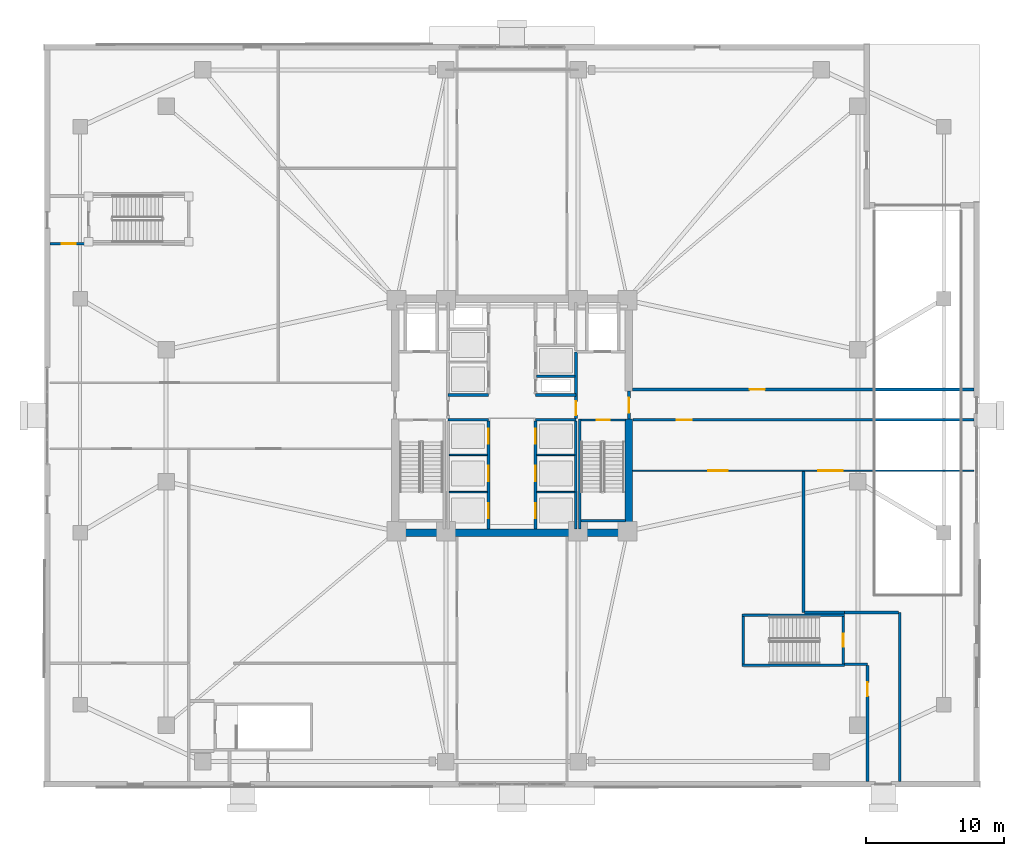
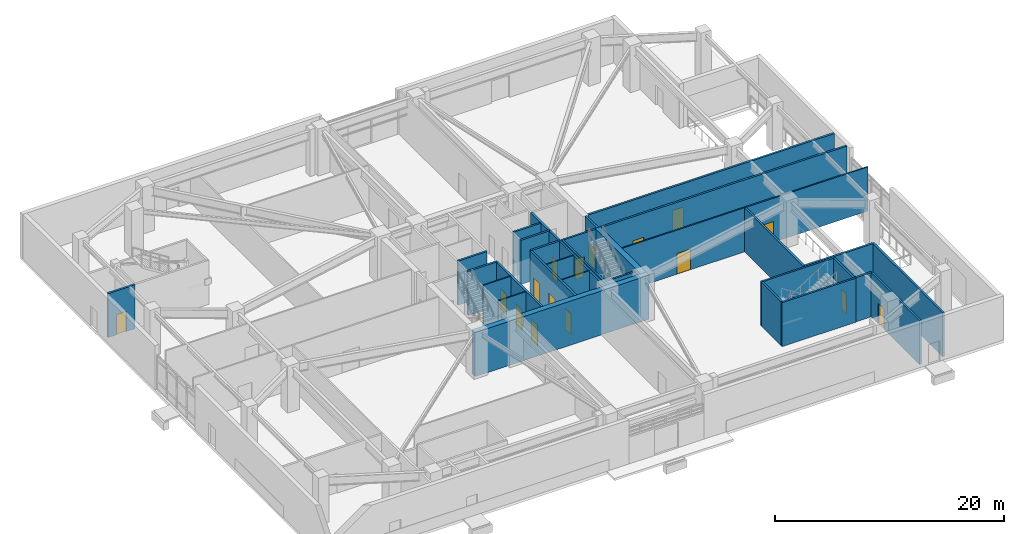
# One storey, part 10 of 21: 33 walls, 16 doors, 16 openings.
"""IFC4 building model written with IfcOpenShell, lengths in metres."""

from ifc_helpers import new_model, si_unit, direction, frame, frame_2d, origin, place, context, subcontext, project, spatial, rectangle, extrude, material, layer, layer_set, type_object, element, fill, save


model = new_model("IFC4")

# Units and contexts
model_context = context("Model", 3, precision=1e-05, world=origin(), true_north=direction((0.0, 1.0)))
body_context = subcontext(model_context, "Body", "Model", "MODEL_VIEW")
ifc_project = project(units=[si_unit("LENGTHUNIT", "METRE"), si_unit("AREAUNIT", "SQUARE_METRE"), si_unit("VOLUMEUNIT", "CUBIC_METRE"), si_unit("PLANEANGLEUNIT", "RADIAN"), si_unit("MASSUNIT", "GRAM", prefix="KILO")], contexts=[model_context])

# Site, building, storey
site_placement = place(None, origin())
site = spatial("IfcSite", under=ifc_project, at=site_placement, CompositionType="ELEMENT")
building_placement = place(site_placement, origin())
building = spatial("IfcBuilding", under=site, at=building_placement, Name="Cairnveth Concourse Tower", CompositionType="ELEMENT")
storey_placement = place(building_placement, origin())
storey = spatial("IfcBuildingStorey", under=building, at=storey_placement, Name="L00", CompositionType="ELEMENT", Elevation=0.0)

# Walls
ifc_material_1 = material(Name="Concrete N80 (80 MPa)", Category="concrete")
ifc_layer_1 = layer(ifc_material_1, 0.550048828125)
ifc_layer_set_1 = layer_set([ifc_layer_1], Name="Concrete N80 (80 MPa)")
wall_type_1 = type_object("IfcWallType", Name="CORE SHEAR WALL 550", PredefinedType="SHEAR", material=ifc_layer_set_1)
wall_1_placement = place(storey_placement, frame((43.22509765625, 30.5, 0.0), z_axis=(0.0, 0.0, 1.0), x_axis=(1.0, 0.0, 0.0)))
element("IfcWall", 1, at=wall_1_placement, inside=storey, type_object=wall_type_1, Name="Core South Shear Wall L00", PredefinedType="SHEAR", context=body_context, shape_type="SweptSolid", body=[
    extrude(rectangle(XDim=17.5498046875, YDim=0.550048828125, at=frame_2d((8.77490234375, 0.0))), origin(), (0.0, 0.0, 1.0), 4.699951171875),
])
wall_2_placement = place(storey_placement, frame((60.5, 30.764892578125, 0.0), z_axis=(0.0, 0.0, 1.0), x_axis=(0.0, 1.0, 0.0)))
element("IfcWall", 2, at=wall_2_placement, inside=storey, type_object=wall_type_1, Name="Core East Shear Wall S L00", PredefinedType="SHEAR", context=body_context, shape_type="SweptSolid", body=[
    extrude(rectangle(XDim=7.985107421875, YDim=0.550048828125, at=frame_2d((3.99267578125, 0.0))), origin(), (0.0, 0.0, 1.0), 4.699951171875),
])
ifc_material_2 = material(Name="Concrete N50 (50 MPa)", Category="concrete")
ifc_layer_2 = layer(ifc_material_2, 0.179931640625)
ifc_layer_set_2 = layer_set([ifc_layer_2], Name="Concrete N50 (50 MPa)")
wall_type_2 = type_object("IfcWallType", Name="FIRE SHAFT WALL 180", PredefinedType="SOLIDWALL", material=ifc_layer_set_2)
wall_3_placement = place(storey_placement, frame((56.64990234375, 30.760009765625, 0.0), z_axis=(0.0, 0.0, 1.0), x_axis=(0.0, 1.0, 0.0)))
element("IfcWall", 3, at=wall_3_placement, inside=storey, type_object=wall_type_2, Name="Interior Wall IW-L00-028", PredefinedType="SOLIDWALL", context=body_context, shape_type="SweptSolid", body=[
    extrude(rectangle(XDim=7.85498046875, YDim=0.179931640625, at=frame_2d((3.927490234375, 0.0))), origin(), (0.0, 0.0, 1.0), 4.699951171875),
])
wall_4_placement = place(storey_placement, frame((53.784912109375, 41.8798828125, 0.0), z_axis=(0.0, 0.0, 1.0), x_axis=(1.0, 0.0, 0.0)))
element("IfcWall", 4, at=wall_4_placement, inside=storey, type_object=wall_type_2, Name="Interior Wall IW-L00-035", PredefinedType="SOLIDWALL", context=body_context, shape_type="SweptSolid", body=[
    extrude(rectangle(XDim=2.780029296875, YDim=0.179931640625, at=frame_2d((1.39013671875, 0.0))), origin(), (0.0, 0.0, 1.0), 4.699951171875),
])

# Wall, opening, door
wall_5_placement = place(storey_placement, frame((57.0048828125, 38.68994140625, 0.0), z_axis=(0.0, 0.0, 1.0), x_axis=(1.0, 0.0, 0.0)))
wall_5 = element("IfcWall", 5, at=wall_5_placement, inside=storey, type_object=wall_type_2, Name="Stair ST-2 Shaft Wall NEAR L00", PredefinedType="SOLIDWALL", context=body_context, shape_type="SweptSolid", body=[
    extrude(rectangle(XDim=3.230224609375, YDim=0.179931640625, at=frame_2d((1.615234375, 0.0))), origin(), (0.0, 0.0, 1.0), 4.699951171875),
])
opening_1_placement = place(wall_5_placement, frame((1.139892578125, 0.0, 0.0)))
opening_1 = element("IfcOpeningElement", 6, at=opening_1_placement, cuts=wall_5, Name="Opening ID12", PredefinedType="OPENING", context=body_context, shape_type="SweptSolid", body=[
    extrude(rectangle(XDim=0.949951171875, YDim=2.14990234375, at=frame_2d((0.47509765625, 1.074951171875))), frame((0.0, 0.099853515625, 0.0), z_axis=(0.0, -1.0, 0.0), x_axis=(1.0, 0.0, 0.0)), (0.0, 0.0, 1.0), 0.199951171875),
])
ifc_material_3 = material(Name="Steel Grade 350", Category="steel")
door_type_1 = type_object("IfcDoorType", Name="FIRE STAIR DOOR 950X2150", OperationType="NOTDEFINED", PredefinedType="DOOR", material=ifc_material_3)
door_1_placement = place(opening_1_placement, origin())
door_1 = element("IfcDoor", 7, at=door_1_placement, inside=storey, type_object=door_type_1, Name="Stair ST-2 Fire Door L00", OperationType="SINGLE_SWING_RIGHT", OverallHeight=2.14990234375, OverallWidth=0.949951171875, PredefinedType="DOOR", context=body_context, shape_type="SweptSolid", body=[
    extrude(rectangle(XDim=0.949951171875, YDim=2.14990234375, at=frame_2d((0.47509765625, 1.074951171875))), frame((0.0, 0.02490234375, 0.0), z_axis=(0.0, -1.0, 0.0), x_axis=(1.0, 0.0, 0.0)), (0.0, 0.0, 1.0), 0.050048828125),
])
fill(opening_1, door_1)

# Walls
wall_6_placement = place(storey_placement, frame((57.0048828125, 31.360107421875, 0.0), z_axis=(0.0, 0.0, 1.0), x_axis=(1.0, 0.0, 0.0)))
element("IfcWall", 8, at=wall_6_placement, inside=storey, type_object=wall_type_2, Name="Stair ST-2 Shaft Wall FAR L00", PredefinedType="SOLIDWALL", context=body_context, shape_type="SweptSolid", body=[
    extrude(rectangle(XDim=3.230224609375, YDim=0.179931640625, at=frame_2d((1.615234375, 0.0))), origin(), (0.0, 0.0, 1.0), 4.699951171875),
])
wall_7_placement = place(storey_placement, frame((56.929931640625, 38.780029296875, 0.0), z_axis=(0.0, 0.0, 1.0), x_axis=(0.0, -1.0, 0.0)))
element("IfcWall", 9, at=wall_7_placement, inside=storey, type_object=wall_type_2, Name="Stair ST-2 Shaft Wall LEFT L00", PredefinedType="SOLIDWALL", context=body_context, shape_type="SweptSolid", body=[
    extrude(rectangle(XDim=8.01708984375, YDim=0.179931640625, at=frame_2d((4.008544921875, 0.0))), origin(), (0.0, 0.0, 1.0), 4.699951171875),
])

# Wall, opening, door
wall_8_placement = place(storey_placement, frame((76.090087890625, 24.4150390625, 0.0), z_axis=(0.0, 0.0, 1.0), x_axis=(0.0, -1.0, 0.0)))
wall_8 = element("IfcWall", 10, at=wall_8_placement, inside=storey, type_object=wall_type_2, Name="Stair ST-P2 Shaft Wall NEAR L00", PredefinedType="SOLIDWALL", context=body_context, shape_type="SweptSolid", body=[
    extrude(rectangle(XDim=3.469970703125, YDim=0.179931640625, at=frame_2d((1.73486328125, 0.0))), origin(), (0.0, 0.0, 1.0), 4.699951171875),
])
opening_2_placement = place(wall_8_placement, frame((1.260009765625, 0.0, 0.0)))
opening_2 = element("IfcOpeningElement", 11, at=opening_2_placement, cuts=wall_8, Name="Opening ID12", PredefinedType="OPENING", context=body_context, shape_type="SweptSolid", body=[
    extrude(rectangle(XDim=0.949951171875, YDim=2.14990234375, at=frame_2d((0.47509765625, 1.074951171875))), frame((0.0, 0.099853515625, 0.0), z_axis=(0.0, -1.0, 0.0), x_axis=(1.0, 0.0, 0.0)), (0.0, 0.0, 1.0), 0.199951171875),
])
door_2_placement = place(opening_2_placement, origin())
door_2 = element("IfcDoor", 12, at=door_2_placement, inside=storey, type_object=door_type_1, Name="Stair ST-P2 Fire Door L00", OperationType="SINGLE_SWING_RIGHT", OverallHeight=2.14990234375, OverallWidth=0.949951171875, PredefinedType="DOOR", context=body_context, shape_type="SweptSolid", body=[
    extrude(rectangle(XDim=0.949951171875, YDim=2.14990234375, at=frame_2d((0.47509765625, 1.074951171875))), frame((0.0, 0.02490234375, 0.0), z_axis=(0.0, -1.0, 0.0), x_axis=(1.0, 0.0, 0.0)), (0.0, 0.0, 1.0), 0.050048828125),
])
fill(opening_2, door_2)

# Walls
wall_9_placement = place(storey_placement, frame((68.81005859375, 24.4150390625, 0.0), z_axis=(0.0, 0.0, 1.0), x_axis=(0.0, -1.0, 0.0)))
element("IfcWall", 13, at=wall_9_placement, inside=storey, type_object=wall_type_2, Name="Stair ST-P2 Shaft Wall FAR L00", PredefinedType="SOLIDWALL", context=body_context, shape_type="SweptSolid", body=[
    extrude(rectangle(XDim=3.469970703125, YDim=0.179931640625, at=frame_2d((1.73486328125, 0.0))), origin(), (0.0, 0.0, 1.0), 4.699951171875),
])
for number, where, z_axis, x_axis, name in (
    (14, (76.179931640625, 24.489990234375, 0.0), (0.0, 0.0, 1.0), (-1.0, 0.0, 0.0), "Stair ST-P2 Shaft Wall LEFT L00"),
    (15, (76.179931640625, 20.8701171875, 0.0), (0.0, 0.0, 1.0), (-1.0, 0.0, 0.0), "Stair ST-P2 Shaft Wall RGHT L00"),
):
    element("IfcWall", number, at=place(storey_placement, frame(where, z_axis=z_axis, x_axis=x_axis)), inside=storey, type_object=wall_type_2, Name=name, PredefinedType="SOLIDWALL", context=body_context, shape_type="SweptSolid", body=[
        extrude(rectangle(XDim=7.4599609375, YDim=0.179931640625, at=frame_2d((3.72998046875, 0.0))), origin(), (0.0, 0.0, 1.0), 4.699951171875),
    ])
ifc_layer_3 = layer(ifc_material_2, 0.199951171875)
ifc_layer_set_3 = layer_set([ifc_layer_3], Name="Concrete N50 (50 MPa)")
wall_type_3 = type_object("IfcWallType", Name="FIRE SHAFT WALL 200", PredefinedType="SOLIDWALL", material=ifc_layer_set_3)
for number, where, z_axis, x_axis, name in (
    (16, (47.35009765625, 38.699951171875, 0.0), (0.0, 0.0, 1.0), (1.0, 0.0, 0.0), "Interior Wall IW-L00-007"),
    (17, (47.35009765625, 40.5, 0.0), (0.0, 0.0, 1.0), (1.0, 0.0, 0.0), "Interior Wall IW-L00-008"),
    (18, (53.699951171875, 38.699951171875, 0.0), (0.0, 0.0, 1.0), (1.0, 0.0, 0.0), "Interior Wall IW-L00-009"),
    (19, (53.699951171875, 40.5, 0.0), (0.0, 0.0, 1.0), (1.0, 0.0, 0.0), "Interior Wall IW-L00-010"),
):
    element("IfcWall", number, at=place(storey_placement, frame(where, z_axis=z_axis, x_axis=x_axis)), inside=storey, type_object=wall_type_3, Name=name, PredefinedType="SOLIDWALL", context=body_context, shape_type="SweptSolid", body=[
        extrude(rectangle(XDim=2.949951171875, YDim=0.199951171875, at=frame_2d((1.47509765625, 0.0))), origin(), (0.0, 0.0, 1.0), 4.699951171875),
    ])

# Wall, openings, doors
wall_10_placement = place(storey_placement, frame((50.300048828125, 30.760009765625, 0.0), z_axis=(0.0, 0.0, 1.0), x_axis=(0.0, 1.0, 0.0)))
wall_10 = element("IfcWall", 20, at=wall_10_placement, inside=storey, type_object=wall_type_3, Name="Interior Wall IW-L00-011", PredefinedType="SOLIDWALL", context=body_context, shape_type="SweptSolid", body=[
    extrude(rectangle(XDim=7.85498046875, YDim=0.199951171875, at=frame_2d((3.927490234375, 0.0))), origin(), (0.0, 0.0, 1.0), 4.699951171875),
])
opening_3_placement = place(wall_10_placement, frame((0.7900390625, 0.0, 0.0)))
opening_3 = element("IfcOpeningElement", 21, at=opening_3_placement, cuts=wall_10, Name="Opening LD-1", PredefinedType="OPENING", context=body_context, shape_type="SweptSolid", body=[
    extrude(rectangle(XDim=1.10009765625, YDim=2.199951171875, at=frame_2d((0.550048828125, 1.10009765625))), frame((0.0, 0.10986328125, 0.0), z_axis=(0.0, -1.0, 0.0), x_axis=(1.0, 0.0, 0.0)), (0.0, 0.0, 1.0), 0.219970703125),
])
opening_4_placement = place(wall_10_placement, frame((3.489990234375, 0.0, 0.0)))
opening_4 = element("IfcOpeningElement", 22, at=opening_4_placement, cuts=wall_10, Name="Opening LD-1", PredefinedType="OPENING", context=body_context, shape_type="SweptSolid", body=[
    extrude(rectangle(XDim=1.10009765625, YDim=2.199951171875, at=frame_2d((0.550048828125, 1.10009765625))), frame((0.0, 0.10986328125, 0.0), z_axis=(0.0, -1.0, 0.0), x_axis=(1.0, 0.0, 0.0)), (0.0, 0.0, 1.0), 0.219970703125),
])
opening_5_placement = place(wall_10_placement, frame((6.18994140625, 0.0, 0.0)))
opening_5 = element("IfcOpeningElement", 23, at=opening_5_placement, cuts=wall_10, Name="Opening LD-1", PredefinedType="OPENING", context=body_context, shape_type="SweptSolid", body=[
    extrude(rectangle(XDim=1.10009765625, YDim=2.199951171875, at=frame_2d((0.550048828125, 1.10009765625))), frame((0.0, 0.10986328125, 0.0), z_axis=(0.0, -1.0, 0.0), x_axis=(1.0, 0.0, 0.0)), (0.0, 0.0, 1.0), 0.219970703125),
])
ifc_material_4 = material(Name="Architectural Bronze Anodised Aluminium 6063-T6", Category="aluminium")
door_type_2 = type_object("IfcDoorType", Name="LIFT LANDING DOOR 1100X2200", OperationType="SLIDING_TO_LEFT", PredefinedType="DOOR", material=ifc_material_4)
door_3_placement = place(opening_3_placement, origin())
door_3 = element("IfcDoor", 24, at=door_3_placement, inside=storey, type_object=door_type_2, Name="Lift PL1 Landing Door L00", OperationType="SLIDING_TO_LEFT", OverallHeight=2.199951171875, OverallWidth=1.10009765625, PredefinedType="DOOR", context=body_context, shape_type="SweptSolid", body=[
    extrude(rectangle(XDim=1.10009765625, YDim=2.199951171875, at=frame_2d((0.550048828125, 1.10009765625))), frame((0.0, 0.02490234375, 0.0), z_axis=(0.0, -1.0, 0.0), x_axis=(1.0, 0.0, 0.0)), (0.0, 0.0, 1.0), 0.050048828125),
])
fill(opening_3, door_3)
door_4_placement = place(opening_4_placement, origin())
door_4 = element("IfcDoor", 25, at=door_4_placement, inside=storey, type_object=door_type_2, Name="Lift PL2 Landing Door L00", OperationType="SLIDING_TO_LEFT", OverallHeight=2.199951171875, OverallWidth=1.10009765625, PredefinedType="DOOR", context=body_context, shape_type="SweptSolid", body=[
    extrude(rectangle(XDim=1.10009765625, YDim=2.199951171875, at=frame_2d((0.550048828125, 1.10009765625))), frame((0.0, 0.02490234375, 0.0), z_axis=(0.0, -1.0, 0.0), x_axis=(1.0, 0.0, 0.0)), (0.0, 0.0, 1.0), 0.050048828125),
])
fill(opening_4, door_4)
door_5_placement = place(opening_5_placement, origin())
door_5 = element("IfcDoor", 26, at=door_5_placement, inside=storey, type_object=door_type_2, Name="Lift PL3 Landing Door L00", OperationType="SLIDING_TO_LEFT", OverallHeight=2.199951171875, OverallWidth=1.10009765625, PredefinedType="DOOR", context=body_context, shape_type="SweptSolid", body=[
    extrude(rectangle(XDim=1.10009765625, YDim=2.199951171875, at=frame_2d((0.550048828125, 1.10009765625))), frame((0.0, 0.02490234375, 0.0), z_axis=(0.0, -1.0, 0.0), x_axis=(1.0, 0.0, 0.0)), (0.0, 0.0, 1.0), 0.050048828125),
])
fill(opening_5, door_5)

wall_11_placement = place(storey_placement, frame((53.699951171875, 30.760009765625, 0.0), z_axis=(0.0, 0.0, 1.0), x_axis=(0.0, 1.0, 0.0)))
wall_11 = element("IfcWall", 27, at=wall_11_placement, inside=storey, type_object=wall_type_3, Name="Interior Wall IW-L00-012", PredefinedType="SOLIDWALL", context=body_context, shape_type="SweptSolid", body=[
    extrude(rectangle(XDim=7.85498046875, YDim=0.199951171875, at=frame_2d((3.927490234375, 0.0))), origin(), (0.0, 0.0, 1.0), 4.699951171875),
])
opening_6_placement = place(wall_11_placement, frame((0.7900390625, 0.0, 0.0)))
opening_6 = element("IfcOpeningElement", 28, at=opening_6_placement, cuts=wall_11, Name="Opening LD-1", PredefinedType="OPENING", context=body_context, shape_type="SweptSolid", body=[
    extrude(rectangle(XDim=1.10009765625, YDim=2.199951171875, at=frame_2d((0.550048828125, 1.10009765625))), frame((0.0, 0.10986328125, 0.0), z_axis=(0.0, -1.0, 0.0), x_axis=(1.0, 0.0, 0.0)), (0.0, 0.0, 1.0), 0.219970703125),
])
opening_7_placement = place(wall_11_placement, frame((3.489990234375, 0.0, 0.0)))
opening_7 = element("IfcOpeningElement", 29, at=opening_7_placement, cuts=wall_11, Name="Opening LD-1", PredefinedType="OPENING", context=body_context, shape_type="SweptSolid", body=[
    extrude(rectangle(XDim=1.10009765625, YDim=2.199951171875, at=frame_2d((0.550048828125, 1.10009765625))), frame((0.0, 0.10986328125, 0.0), z_axis=(0.0, -1.0, 0.0), x_axis=(1.0, 0.0, 0.0)), (0.0, 0.0, 1.0), 0.219970703125),
])
opening_8_placement = place(wall_11_placement, frame((6.18994140625, 0.0, 0.0)))
opening_8 = element("IfcOpeningElement", 30, at=opening_8_placement, cuts=wall_11, Name="Opening LD-1", PredefinedType="OPENING", context=body_context, shape_type="SweptSolid", body=[
    extrude(rectangle(XDim=1.10009765625, YDim=2.199951171875, at=frame_2d((0.550048828125, 1.10009765625))), frame((0.0, 0.10986328125, 0.0), z_axis=(0.0, -1.0, 0.0), x_axis=(1.0, 0.0, 0.0)), (0.0, 0.0, 1.0), 0.219970703125),
])
door_6_placement = place(opening_6_placement, origin())
door_6 = element("IfcDoor", 31, at=door_6_placement, inside=storey, type_object=door_type_2, Name="Lift PL4 Landing Door L00", OperationType="SLIDING_TO_LEFT", OverallHeight=2.199951171875, OverallWidth=1.10009765625, PredefinedType="DOOR", context=body_context, shape_type="SweptSolid", body=[
    extrude(rectangle(XDim=1.10009765625, YDim=2.199951171875, at=frame_2d((0.550048828125, 1.10009765625))), frame((0.0, 0.02490234375, 0.0), z_axis=(0.0, -1.0, 0.0), x_axis=(1.0, 0.0, 0.0)), (0.0, 0.0, 1.0), 0.050048828125),
])
fill(opening_6, door_6)
door_7_placement = place(opening_7_placement, origin())
door_7 = element("IfcDoor", 32, at=door_7_placement, inside=storey, type_object=door_type_2, Name="Lift PL5 Landing Door L00", OperationType="SLIDING_TO_LEFT", OverallHeight=2.199951171875, OverallWidth=1.10009765625, PredefinedType="DOOR", context=body_context, shape_type="SweptSolid", body=[
    extrude(rectangle(XDim=1.10009765625, YDim=2.199951171875, at=frame_2d((0.550048828125, 1.10009765625))), frame((0.0, 0.02490234375, 0.0), z_axis=(0.0, -1.0, 0.0), x_axis=(1.0, 0.0, 0.0)), (0.0, 0.0, 1.0), 0.050048828125),
])
fill(opening_7, door_7)
door_8_placement = place(opening_8_placement, origin())
door_8 = element("IfcDoor", 33, at=door_8_placement, inside=storey, type_object=door_type_2, Name="Lift PL6 Landing Door L00", OperationType="SLIDING_TO_LEFT", OverallHeight=2.199951171875, OverallWidth=1.10009765625, PredefinedType="DOOR", context=body_context, shape_type="SweptSolid", body=[
    extrude(rectangle(XDim=1.10009765625, YDim=2.199951171875, at=frame_2d((0.550048828125, 1.10009765625))), frame((0.0, 0.02490234375, 0.0), z_axis=(0.0, -1.0, 0.0), x_axis=(1.0, 0.0, 0.0)), (0.0, 0.0, 1.0), 0.050048828125),
])
fill(opening_8, door_8)

# Wall, opening, door
wall_12_placement = place(storey_placement, frame((60.5, 38.75, 0.0), z_axis=(0.0, 0.0, 1.0), x_axis=(0.0, 1.0, 0.0)))
wall_12 = element("IfcWall", 34, at=wall_12_placement, inside=storey, type_object=wall_type_3, Name="Interior Wall IW-L00-020", PredefinedType="SOLIDWALL", context=body_context, shape_type="SweptSolid", body=[
    extrude(rectangle(XDim=2.050048828125, YDim=0.199951171875, at=frame_2d((1.02490234375, 0.0))), origin(), (0.0, 0.0, 1.0), 4.699951171875),
])
opening_9_placement = place(wall_12_placement, frame((0.449951171875, 0.0, 0.0)))
opening_9 = element("IfcOpeningElement", 35, at=opening_9_placement, cuts=wall_12, Name="Opening ID06", PredefinedType="OPENING", context=body_context, shape_type="SweptSolid", body=[
    extrude(rectangle(XDim=1.10009765625, YDim=2.14990234375, at=frame_2d((0.550048828125, 1.074951171875))), frame((0.0, 0.10986328125, 0.0), z_axis=(0.0, -1.0, 0.0), x_axis=(1.0, 0.0, 0.0)), (0.0, 0.0, 1.0), 0.219970703125),
])
door_type_3 = type_object("IfcDoorType", Name="FIRE CORRIDOR DOOR 1100X2150", OperationType="NOTDEFINED", PredefinedType="DOOR", material=ifc_material_3)
door_9_placement = place(opening_9_placement, origin())
door_9 = element("IfcDoor", 36, at=door_9_placement, inside=storey, type_object=door_type_3, Name="East Wing to FF Lobby Door L00", OperationType="SINGLE_SWING_RIGHT", OverallHeight=2.14990234375, OverallWidth=1.10009765625, PredefinedType="DOOR", context=body_context, shape_type="SweptSolid", body=[
    extrude(rectangle(XDim=1.10009765625, YDim=2.14990234375, at=frame_2d((0.550048828125, 1.074951171875))), frame((0.0, 0.02490234375, 0.0), z_axis=(0.0, -1.0, 0.0), x_axis=(1.0, 0.0, 0.0)), (0.0, 0.0, 1.0), 0.050048828125),
])
fill(opening_9, door_9)

wall_13_placement = place(storey_placement, frame((56.64990234375, 38.784912109375, 0.0), z_axis=(0.0, 0.0, 1.0), x_axis=(0.0, 1.0, 0.0)))
wall_13 = element("IfcWall", 37, at=wall_13_placement, inside=storey, type_object=wall_type_3, Name="Interior Wall IW-L00-021", PredefinedType="SOLIDWALL", context=body_context, shape_type="SweptSolid", body=[
    extrude(rectangle(XDim=4.864990234375, YDim=0.199951171875, at=frame_2d((2.4326171875, 0.0))), origin(), (0.0, 0.0, 1.0), 4.699951171875),
])
opening_10_placement = place(wall_13_placement, frame((0.264892578125, 0.0, 0.0)))
opening_10 = element("IfcOpeningElement", 38, at=opening_10_placement, cuts=wall_13, Name="Opening ID07", PredefinedType="OPENING", context=body_context, shape_type="SweptSolid", body=[
    extrude(rectangle(XDim=1.0, YDim=2.14990234375, at=frame_2d((0.5, 1.074951171875))), frame((0.0, 0.10986328125, 0.0), z_axis=(0.0, -1.0, 0.0), x_axis=(1.0, 0.0, 0.0)), (0.0, 0.0, 1.0), 0.219970703125),
])
door_type_4 = type_object("IfcDoorType", Name="FIRE CORRIDOR DOOR 1000X2150", OperationType="NOTDEFINED", PredefinedType="DOOR", material=ifc_material_3)
door_10_placement = place(opening_10_placement, origin())
door_10 = element("IfcDoor", 39, at=door_10_placement, inside=storey, type_object=door_type_4, Name="FF Lobby East to Lift Lobby Door L00", OperationType="SINGLE_SWING_LEFT", OverallHeight=2.14990234375, OverallWidth=1.0, PredefinedType="DOOR", context=body_context, shape_type="SweptSolid", body=[
    extrude(rectangle(XDim=1.0, YDim=2.14990234375, at=frame_2d((0.5, 1.074951171875))), frame((0.0, 0.02490234375, 0.0), z_axis=(0.0, -1.0, 0.0), x_axis=(1.0, 0.0, 0.0)), (0.0, 0.0, 1.0), 0.050048828125),
])
fill(opening_10, door_10)

wall_14_placement = place(storey_placement, frame((85.580078125, 38.699951171875, 0.0), z_axis=(0.0, 0.0, 1.0), x_axis=(-1.0, 0.0, 0.0)))
wall_14 = element("IfcWall", 40, at=wall_14_placement, inside=storey, type_object=wall_type_3, Name="Stair ST-2 Exit Passage South Wall L00", PredefinedType="SOLIDWALL", context=body_context, shape_type="SweptSolid", body=[
    extrude(rectangle(XDim=24.800048828125, YDim=0.199951171875, at=frame_2d((12.39990234375, 0.0))), origin(), (0.0, 0.0, 1.0), 4.699951171875),
])
opening_11_placement = place(wall_14_placement, frame((20.5, 0.0, 0.0)))
opening_11 = element("IfcOpeningElement", 41, at=opening_11_placement, cuts=wall_14, Name="Opening ID06", PredefinedType="OPENING", context=body_context, shape_type="SweptSolid", body=[
    extrude(rectangle(XDim=1.10009765625, YDim=2.14990234375, at=frame_2d((0.550048828125, 1.074951171875))), frame((0.0, 0.10986328125, 0.0), z_axis=(0.0, -1.0, 0.0), x_axis=(1.0, 0.0, 0.0)), (0.0, 0.0, 1.0), 0.219970703125),
])
door_11_placement = place(opening_11_placement, origin())
door_11 = element("IfcDoor", 42, at=door_11_placement, inside=storey, type_object=door_type_3, Name="East Arcade to Stair ST-2 Exit Passage Door", OperationType="SINGLE_SWING_RIGHT", OverallHeight=2.14990234375, OverallWidth=1.10009765625, PredefinedType="DOOR", context=body_context, shape_type="SweptSolid", body=[
    extrude(rectangle(XDim=1.10009765625, YDim=2.14990234375, at=frame_2d((0.550048828125, 1.074951171875))), frame((0.0, 0.02490234375, 0.0), z_axis=(0.0, -1.0, 0.0), x_axis=(1.0, 0.0, 0.0)), (0.0, 0.0, 1.0), 0.050048828125),
])
fill(opening_11, door_11)

wall_15_placement = place(storey_placement, frame((60.780029296875, 40.89990234375, 0.0), z_axis=(0.0, 0.0, 1.0), x_axis=(1.0, 0.0, 0.0)))
wall_15 = element("IfcWall", 43, at=wall_15_placement, inside=storey, type_object=wall_type_3, Name="Stair ST-2 Exit Passage North Wall L00", PredefinedType="SOLIDWALL", context=body_context, shape_type="SweptSolid", body=[
    extrude(rectangle(XDim=24.800048828125, YDim=0.199951171875, at=frame_2d((12.39990234375, 0.0))), origin(), (0.0, 0.0, 1.0), 4.699951171875),
])
opening_12_placement = place(wall_15_placement, frame((8.5, 0.0, 0.0)))
opening_12 = element("IfcOpeningElement", 44, at=opening_12_placement, cuts=wall_15, Name="Opening ID06", PredefinedType="OPENING", context=body_context, shape_type="SweptSolid", body=[
    extrude(rectangle(XDim=1.10009765625, YDim=2.14990234375, at=frame_2d((0.550048828125, 1.074951171875))), frame((0.0, 0.10986328125, 0.0), z_axis=(0.0, -1.0, 0.0), x_axis=(1.0, 0.0, 0.0)), (0.0, 0.0, 1.0), 0.219970703125),
])
door_12_placement = place(opening_12_placement, origin())
door_12 = element("IfcDoor", 45, at=door_12_placement, inside=storey, type_object=door_type_3, Name="Bookshop to Stair ST-2 Exit Passage Door", OperationType="SINGLE_SWING_RIGHT", OverallHeight=2.14990234375, OverallWidth=1.10009765625, PredefinedType="DOOR", context=body_context, shape_type="SweptSolid", body=[
    extrude(rectangle(XDim=1.10009765625, YDim=2.14990234375, at=frame_2d((0.550048828125, 1.074951171875))), frame((0.0, 0.02490234375, 0.0), z_axis=(0.0, -1.0, 0.0), x_axis=(1.0, 0.0, 0.0)), (0.0, 0.0, 1.0), 0.050048828125),
])
fill(opening_12, door_12)

wall_16_placement = place(storey_placement, frame((18.419921875, 51.510009765625, 0.0), z_axis=(0.0, 0.0, 1.0), x_axis=(1.0, 0.0, 0.0)))
wall_16 = element("IfcWall", 46, at=wall_16_placement, inside=storey, type_object=wall_type_3, Name="Stair ST-P1 Exit Passage South Wall L00", PredefinedType="SOLIDWALL", context=body_context, shape_type="SweptSolid", body=[
    extrude(rectangle(XDim=2.7001953125, YDim=0.199951171875, at=frame_2d((1.35009765625, 0.0))), origin(), (0.0, 0.0, 1.0), 4.699951171875),
])
opening_13_placement = place(wall_16_placement, frame((0.85009765625, 0.0, 0.0)))
opening_13 = element("IfcOpeningElement", 47, at=opening_13_placement, cuts=wall_16, Name="Opening ID07", PredefinedType="OPENING", context=body_context, shape_type="SweptSolid", body=[
    extrude(rectangle(XDim=1.0, YDim=2.14990234375, at=frame_2d((0.5, 1.074951171875))), frame((0.0, 0.10986328125, 0.0), z_axis=(0.0, -1.0, 0.0), x_axis=(1.0, 0.0, 0.0)), (0.0, 0.0, 1.0), 0.219970703125),
])
door_13_placement = place(opening_13_placement, origin())
door_13 = element("IfcDoor", 48, at=door_13_placement, inside=storey, type_object=door_type_4, Name="Retail to Stair ST-P1 Exit Passage Door", OperationType="SINGLE_SWING_LEFT", OverallHeight=2.14990234375, OverallWidth=1.0, PredefinedType="DOOR", context=body_context, shape_type="SweptSolid", body=[
    extrude(rectangle(XDim=1.0, YDim=2.14990234375, at=frame_2d((0.5, 1.074951171875))), frame((0.0, 0.02490234375, 0.0), z_axis=(0.0, -1.0, 0.0), x_axis=(1.0, 0.0, 0.0)), (0.0, 0.0, 1.0), 0.050048828125),
])
fill(opening_13, door_13)

# Wall
wall_17_placement = place(storey_placement, frame((76.179931640625, 20.929931640625, 0.0), z_axis=(0.0, 0.0, 1.0), x_axis=(1.0, 0.0, 0.0)))
element("IfcWall", 49, at=wall_17_placement, inside=storey, type_object=wall_type_3, Name="Stair ST-P2 Exit Passage Throat Wall L00", PredefinedType="SOLIDWALL", context=body_context, shape_type="SweptSolid", body=[
    extrude(rectangle(XDim=1.670166015625, YDim=0.199951171875, at=frame_2d((0.8349609375, 0.0))), origin(), (0.0, 0.0, 1.0), 4.699951171875),
])

# Wall, opening, door
wall_18_placement = place(storey_placement, frame((77.85009765625, 12.419921875, 0.0), z_axis=(0.0, 0.0, 1.0), x_axis=(0.0, 1.0, 0.0)))
wall_18 = element("IfcWall", 50, at=wall_18_placement, inside=storey, type_object=wall_type_3, Name="Stair ST-P2 Exit Passage West Wall L00", PredefinedType="SOLIDWALL", context=body_context, shape_type="SweptSolid", body=[
    extrude(rectangle(XDim=8.425048828125, YDim=0.199951171875, at=frame_2d((4.21240234375, 0.0))), origin(), (0.0, 0.0, 1.0), 4.699951171875),
])
opening_14_placement = place(wall_18_placement, frame((6.199951171875, 0.0, 0.0)))
opening_14 = element("IfcOpeningElement", 51, at=opening_14_placement, cuts=wall_18, Name="Opening ID07", PredefinedType="OPENING", context=body_context, shape_type="SweptSolid", body=[
    extrude(rectangle(XDim=1.0, YDim=2.14990234375, at=frame_2d((0.5, 1.074951171875))), frame((0.0, 0.10986328125, 0.0), z_axis=(0.0, -1.0, 0.0), x_axis=(1.0, 0.0, 0.0)), (0.0, 0.0, 1.0), 0.219970703125),
])
door_14_placement = place(opening_14_placement, origin())
door_14 = element("IfcDoor", 52, at=door_14_placement, inside=storey, type_object=door_type_4, Name="Pharmacy Suite to Stair ST-P2 Exit Passage Door", OperationType="SINGLE_SWING_LEFT", OverallHeight=2.14990234375, OverallWidth=1.0, PredefinedType="DOOR", context=body_context, shape_type="SweptSolid", body=[
    extrude(rectangle(XDim=1.0, YDim=2.14990234375, at=frame_2d((0.5, 1.074951171875))), frame((0.0, 0.02490234375, 0.0), z_axis=(0.0, -1.0, 0.0), x_axis=(1.0, 0.0, 0.0)), (0.0, 0.0, 1.0), 0.050048828125),
])
fill(opening_14, door_14)

# Walls
wall_19_placement = place(storey_placement, frame((80.199951171875, 12.419921875, 0.0), z_axis=(0.0, 0.0, 1.0), x_axis=(0.0, 1.0, 0.0)))
element("IfcWall", 53, at=wall_19_placement, inside=storey, type_object=wall_type_3, Name="Stair ST-P2 Exit Passage East Wall L00", PredefinedType="SOLIDWALL", context=body_context, shape_type="SweptSolid", body=[
    extrude(rectangle(XDim=12.280029296875, YDim=0.199951171875, at=frame_2d((6.14013671875, 0.0))), origin(), (0.0, 0.0, 1.0), 4.699951171875),
])
wall_20_placement = place(storey_placement, frame((76.179931640625, 24.699951171875, 0.0), z_axis=(0.0, 0.0, 1.0), x_axis=(1.0, 0.0, 0.0)))
element("IfcWall", 54, at=wall_20_placement, inside=storey, type_object=wall_type_3, Name="Stair ST-P2 Exit Passage North Wall L00", PredefinedType="SOLIDWALL", context=body_context, shape_type="SweptSolid", body=[
    extrude(rectangle(XDim=3.93505859375, YDim=0.199951171875, at=frame_2d((1.967529296875, 0.0))), origin(), (0.0, 0.0, 1.0), 4.699951171875),
])
wall_21_placement = place(storey_placement, frame((73.199951171875, 24.699951171875, 0.0), z_axis=(0.0, 0.0, 1.0), x_axis=(0.0, 1.0, 0.0)))
element("IfcWall", 55, at=wall_21_placement, inside=storey, type_object=wall_type_3, Name="Interior Wall IW-L00-063", PredefinedType="SOLIDWALL", context=body_context, shape_type="SweptSolid", body=[
    extrude(rectangle(XDim=10.2451171875, YDim=0.199951171875, at=frame_2d((5.12255859375, 0.0))), origin(), (0.0, 0.0, 1.0), 4.699951171875),
])
wall_22_placement = place(storey_placement, frame((73.284912109375, 24.699951171875, 0.0), z_axis=(0.0, 0.0, 1.0), x_axis=(1.0, 0.0, 0.0)))
element("IfcWall", 56, at=wall_22_placement, inside=storey, type_object=wall_type_3, Name="Interior Wall IW-L00-064", PredefinedType="SOLIDWALL", context=body_context, shape_type="SweptSolid", body=[
    extrude(rectangle(XDim=2.89501953125, YDim=0.199951171875, at=frame_2d((1.447509765625, 0.0))), origin(), (0.0, 0.0, 1.0), 4.699951171875),
])

# Wall, openings, doors
ifc_material_5 = material(Name="Gypsum Plasterboard Partition", Category="gypsum")
ifc_layer_4 = layer(ifc_material_5, 0.139892578125)
ifc_layer_set_4 = layer_set([ifc_layer_4], Name="Gypsum Plasterboard Partition")
wall_type_4 = type_object("IfcWallType", Name="GYPSUM STUD PARTITION 140", PredefinedType="PARTITIONING", material=ifc_layer_set_4)
wall_23_placement = place(storey_placement, frame((60.780029296875, 35.0, 0.0), z_axis=(0.0, 0.0, 1.0), x_axis=(1.0, 0.0, 0.0)))
wall_23 = element("IfcWall", 57, at=wall_23_placement, inside=storey, type_object=wall_type_4, Name="Interior Wall IW-L00-046", PredefinedType="PARTITIONING", context=body_context, shape_type="SweptSolid", body=[
    extrude(rectangle(XDim=24.800048828125, YDim=0.139892578125, at=frame_2d((12.39990234375, 0.0))), origin(), (0.0, 0.0, 1.0), 4.699951171875),
])
opening_15_placement = place(wall_23_placement, frame((5.5, 0.0, 0.0)))
opening_15 = element("IfcOpeningElement", 58, at=opening_15_placement, cuts=wall_23, Name="Opening ID03", PredefinedType="OPENING", context=body_context, shape_type="SweptSolid", body=[
    extrude(rectangle(XDim=1.39990234375, YDim=2.199951171875, at=frame_2d((0.699951171875, 1.10009765625))), frame((0.0, 0.079833984375, 0.0), z_axis=(0.0, -1.0, 0.0), x_axis=(1.0, 0.0, 0.0)), (0.0, 0.0, 1.0), 0.159912109375),
])
opening_16_placement = place(wall_23_placement, frame((13.5, 0.0, 0.0)))
opening_16 = element("IfcOpeningElement", 59, at=opening_16_placement, cuts=wall_23, Name="Opening ID27", PredefinedType="OPENING", context=body_context, shape_type="SweptSolid", body=[
    extrude(rectangle(XDim=1.760009765625, YDim=2.199951171875, at=frame_2d((0.8798828125, 1.10009765625))), frame((0.0, 0.079833984375, 0.0), z_axis=(0.0, -1.0, 0.0), x_axis=(1.0, 0.0, 0.0)), (0.0, 0.0, 1.0), 0.159912109375),
])
ifc_material_6 = material(Name="Solid Core Hardwood Timber Leaf", Category="wood")
door_type_5 = type_object("IfcDoorType", Name="CONCOURSE DOUBLE DOOR 1760X2200", OperationType="DOUBLE_DOOR_SINGLE_SWING", PredefinedType="DOOR", material=ifc_material_6)
door_15_placement = place(opening_16_placement, origin())
door_15 = element("IfcDoor", 60, at=door_15_placement, inside=storey, type_object=door_type_5, Name="Loading Lobby Access Door", OperationType="DOUBLE_DOOR_SINGLE_SWING", OverallHeight=2.199951171875, OverallWidth=1.760009765625, PredefinedType="DOOR", context=body_context, shape_type="SweptSolid", body=[
    extrude(rectangle(XDim=1.760009765625, YDim=2.199951171875, at=frame_2d((0.8798828125, 1.10009765625))), frame((0.0, 0.02490234375, 0.0), z_axis=(0.0, -1.0, 0.0), x_axis=(1.0, 0.0, 0.0)), (0.0, 0.0, 1.0), 0.050048828125),
])
fill(opening_16, door_15)
door_type_6 = type_object("IfcDoorType", Name="RETAIL GLAZED DOOR 1400X2200", OperationType="DOUBLE_DOOR_SINGLE_SWING", PredefinedType="DOOR", material=ifc_material_4)
door_16_placement = place(opening_15_placement, origin())
door_16 = element("IfcDoor", 61, at=door_16_placement, inside=storey, type_object=door_type_6, Name="Interior Door DR-L00-035", OperationType="SINGLE_SWING_LEFT", OverallHeight=2.199951171875, OverallWidth=1.39990234375, PredefinedType="DOOR", context=body_context, shape_type="SweptSolid", body=[
    extrude(rectangle(XDim=1.39990234375, YDim=2.199951171875, at=frame_2d((0.699951171875, 1.10009765625))), frame((0.0, 0.02490234375, 0.0), z_axis=(0.0, -1.0, 0.0), x_axis=(1.0, 0.0, 0.0)), (0.0, 0.0, 1.0), 0.050048828125),
])
fill(opening_15, door_16)

# Walls
ifc_layer_5 = layer(ifc_material_5, 0.110107421875)
ifc_layer_set_5 = layer_set([ifc_layer_5], Name="Gypsum Plasterboard Partition")
wall_type_5 = type_object("IfcWallType", Name="SHAFT DIVIDER WALL 140", PredefinedType="PARTITIONING", material=ifc_layer_set_5)
for number, where, z_axis, x_axis, name in (
    (62, (47.425048828125, 33.449951171875, 0.0), (0.0, 0.0, 1.0), (1.0, 0.0, 0.0), "Interior Wall IW-L00-026"),
    (63, (47.425048828125, 36.14990234375, 0.0), (0.0, 0.0, 1.0), (1.0, 0.0, 0.0), "Interior Wall IW-L00-027"),
    (64, (53.784912109375, 33.449951171875, 0.0), (0.0, 0.0, 1.0), (1.0, 0.0, 0.0), "Interior Wall IW-L00-029"),
    (65, (53.784912109375, 36.14990234375, 0.0), (0.0, 0.0, 1.0), (1.0, 0.0, 0.0), "Interior Wall IW-L00-030"),
):
    element("IfcWall", number, at=place(storey_placement, frame(where, z_axis=z_axis, x_axis=x_axis)), inside=storey, type_object=wall_type_5, Name=name, PredefinedType="PARTITIONING", context=body_context, shape_type="SweptSolid", body=[
        extrude(rectangle(XDim=2.7900390625, YDim=0.110107421875, at=frame_2d((1.39501953125, 0.0))), origin(), (0.0, 0.0, 1.0), 4.699951171875),
    ])

save(model, "model.ifc")
